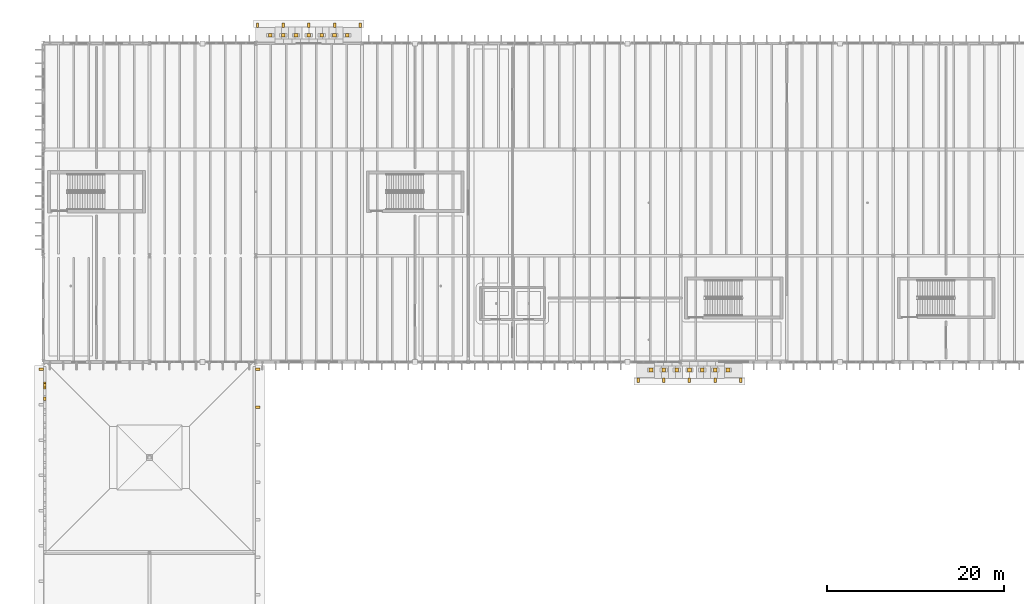
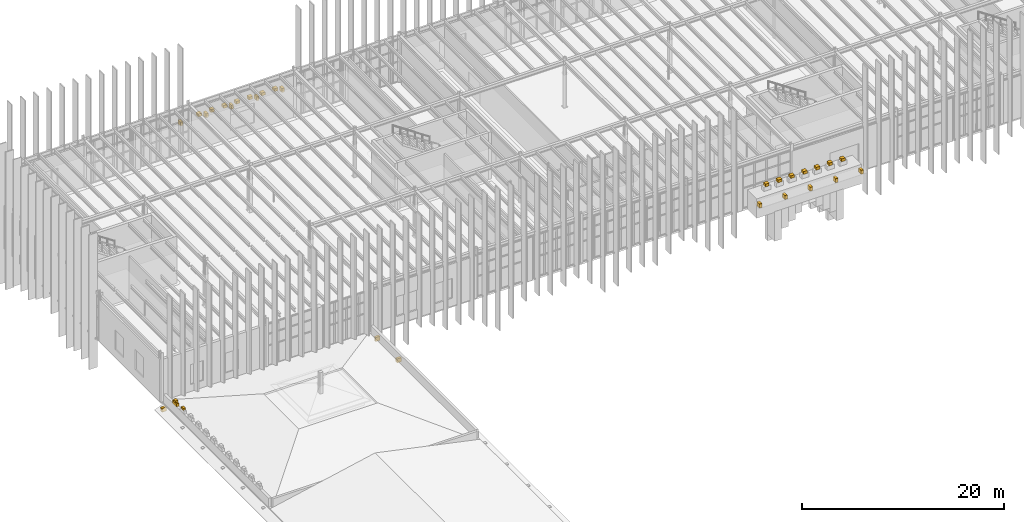
# One storey, part 82 of 83: 30 coverings.
"""IFC4 building model written with IfcOpenShell, lengths in metres."""

from ifc_helpers import new_model, si_unit, direction, frame, origin, place, context, subcontext, project, spatial, polyline, outline, extrude, material, layer, layer_set, type_object, element, save


model = new_model("IFC4")

# Units and contexts
model_context = context("Model", 3, precision=1e-05, world=origin(), true_north=direction((0.0, 1.0)))
body_context = subcontext(model_context, "Body", "Model", "MODEL_VIEW")
ifc_project = project(units=[si_unit("LENGTHUNIT", "METRE"), si_unit("AREAUNIT", "SQUARE_METRE"), si_unit("VOLUMEUNIT", "CUBIC_METRE"), si_unit("PLANEANGLEUNIT", "RADIAN"), si_unit("MASSUNIT", "GRAM", prefix="KILO")], contexts=[model_context])

# Site, building, storey
site_placement = place(None, origin())
site = spatial("IfcSite", under=ifc_project, at=site_placement, CompositionType="ELEMENT")
building_placement = place(site_placement, origin())
building = spatial("IfcBuilding", under=site, at=building_placement, Name="Zlatogorsky Bluff Art Gallery", CompositionType="ELEMENT")
storey_placement = place(building_placement, frame((0.0, 0.0, 10.800048828125)))
storey = spatial("IfcBuildingStorey", under=building, at=storey_placement, Name="L02", CompositionType="ELEMENT", Elevation=10.800048828125)

# Coverings
ifc_material = material(Name="Honed Red Agra-Tone Quartzitic Sandstone", Category="masonry")
ifc_layer = layer(ifc_material, 0.1201171875)
ifc_layer_set = layer_set([ifc_layer], Name="Carved Sandstone Cladding CLD-02")
covering_type = type_object("IfcCoveringType", Name="Carved Sandstone Cladding CLD-02", PredefinedType="CLADDING", material=ifc_layer_set)
covering_1_placement = place(storey_placement, frame((0.0, 0.0, 1.85986328125)))
element("IfcCovering", 1, at=covering_1_placement, inside=storey, type_object=covering_type, Name="Chhajja carved stone corbel PISHTAQ-N-MAIN-CHJ.1", PredefinedType="CLADDING", context=body_context, shape_type="SweptSolid", body=[
    extrude(outline(polyline([(24.06005859375, 121.81005859375), (24.340087890625, 121.81005859375), (24.340087890625, 122.31005859375), (24.06005859375, 122.31005859375), (24.06005859375, 121.81005859375)])), origin(), (0.0, 0.0, 1.0), 0.47998046875),
])
covering_2_placement = place(storey_placement, frame((0.0, 0.0, 1.85986328125)))
element("IfcCovering", 2, at=covering_2_placement, inside=storey, type_object=covering_type, Name="Chhajja carved stone corbel PISHTAQ-N-MAIN-CHJ.2", PredefinedType="CLADDING", context=body_context, shape_type="SweptSolid", body=[
    extrude(outline(polyline([(26.9599609375, 121.81005859375), (27.239990234375, 121.81005859375), (27.239990234375, 122.31005859375), (26.9599609375, 122.31005859375), (26.9599609375, 121.81005859375)])), origin(), (0.0, 0.0, 1.0), 0.47998046875),
])
covering_3_placement = place(storey_placement, frame((0.0, 0.0, 1.85986328125)))
element("IfcCovering", 3, at=covering_3_placement, inside=storey, type_object=covering_type, Name="Chhajja carved stone corbel PISHTAQ-N-MAIN-CHJ.3", PredefinedType="CLADDING", context=body_context, shape_type="SweptSolid", body=[
    extrude(outline(polyline([(29.860107421875, 121.81005859375), (30.139892578125, 121.81005859375), (30.139892578125, 122.31005859375), (29.860107421875, 122.31005859375), (29.860107421875, 121.81005859375)])), origin(), (0.0, 0.0, 1.0), 0.47998046875),
])
covering_4_placement = place(storey_placement, frame((0.0, 0.0, 1.85986328125)))
element("IfcCovering", 4, at=covering_4_placement, inside=storey, type_object=covering_type, Name="Chhajja carved stone corbel PISHTAQ-N-MAIN-CHJ.4", PredefinedType="CLADDING", context=body_context, shape_type="SweptSolid", body=[
    extrude(outline(polyline([(32.760009765625, 121.81005859375), (33.0400390625, 121.81005859375), (33.0400390625, 122.31005859375), (32.760009765625, 122.31005859375), (32.760009765625, 121.81005859375)])), origin(), (0.0, 0.0, 1.0), 0.47998046875),
])
covering_5_placement = place(storey_placement, frame((0.0, 0.0, 1.85986328125)))
element("IfcCovering", 5, at=covering_5_placement, inside=storey, type_object=covering_type, Name="Chhajja carved stone corbel PISHTAQ-N-MAIN-CHJ.5", PredefinedType="CLADDING", context=body_context, shape_type="SweptSolid", body=[
    extrude(outline(polyline([(35.659912109375, 121.81005859375), (35.93994140625, 121.81005859375), (35.93994140625, 122.31005859375), (35.659912109375, 122.31005859375), (35.659912109375, 121.81005859375)])), origin(), (0.0, 0.0, 1.0), 0.47998046875),
])
covering_6_placement = place(storey_placement, frame((0.0, 0.0, 3.183837890625)))
element("IfcCovering", 6, at=covering_6_placement, inside=storey, type_object=covering_type, Name="Kangura pointed merlon finial PISHTAQ-N-MAIN.1", PredefinedType="CLADDING", context=body_context, shape_type="SweptSolid", body=[
    extrude(outline(polyline([(25.436767578125, 120.695068359375), (25.86328125, 120.695068359375), (25.86328125, 121.114990234375), (25.436767578125, 121.114990234375), (25.436767578125, 120.695068359375)])), origin(), (0.0, 0.0, 1.0), 0.336181640625),
])
covering_7_placement = place(storey_placement, frame((0.0, 0.0, 3.183837890625)))
element("IfcCovering", 7, at=covering_7_placement, inside=storey, type_object=covering_type, Name="Kangura pointed merlon finial PISHTAQ-N-MAIN.2", PredefinedType="CLADDING", context=body_context, shape_type="SweptSolid", body=[
    extrude(outline(polyline([(26.88671875, 120.695068359375), (27.313232421875, 120.695068359375), (27.313232421875, 121.114990234375), (26.88671875, 121.114990234375), (26.88671875, 120.695068359375)])), origin(), (0.0, 0.0, 1.0), 0.336181640625),
])
covering_8_placement = place(storey_placement, frame((0.0, 0.0, 3.183837890625)))
element("IfcCovering", 8, at=covering_8_placement, inside=storey, type_object=covering_type, Name="Kangura pointed merlon finial PISHTAQ-N-MAIN.3", PredefinedType="CLADDING", context=body_context, shape_type="SweptSolid", body=[
    extrude(outline(polyline([(28.3369140625, 120.695068359375), (28.76318359375, 120.695068359375), (28.76318359375, 121.114990234375), (28.3369140625, 121.114990234375), (28.3369140625, 120.695068359375)])), origin(), (0.0, 0.0, 1.0), 0.336181640625),
])
covering_9_placement = place(storey_placement, frame((0.0, 0.0, 3.183837890625)))
element("IfcCovering", 9, at=covering_9_placement, inside=storey, type_object=covering_type, Name="Kangura pointed merlon finial PISHTAQ-N-MAIN.4", PredefinedType="CLADDING", context=body_context, shape_type="SweptSolid", body=[
    extrude(outline(polyline([(29.786865234375, 120.695068359375), (30.213134765625, 120.695068359375), (30.213134765625, 121.114990234375), (29.786865234375, 121.114990234375), (29.786865234375, 120.695068359375)])), origin(), (0.0, 0.0, 1.0), 0.336181640625),
])
covering_10_placement = place(storey_placement, frame((0.0, 0.0, 3.183837890625)))
element("IfcCovering", 10, at=covering_10_placement, inside=storey, type_object=covering_type, Name="Kangura pointed merlon finial PISHTAQ-N-MAIN.5", PredefinedType="CLADDING", context=body_context, shape_type="SweptSolid", body=[
    extrude(outline(polyline([(31.23681640625, 120.695068359375), (31.6630859375, 120.695068359375), (31.6630859375, 121.114990234375), (31.23681640625, 121.114990234375), (31.23681640625, 120.695068359375)])), origin(), (0.0, 0.0, 1.0), 0.336181640625),
])
covering_11_placement = place(storey_placement, frame((0.0, 0.0, 3.183837890625)))
element("IfcCovering", 11, at=covering_11_placement, inside=storey, type_object=covering_type, Name="Kangura pointed merlon finial PISHTAQ-N-MAIN.6", PredefinedType="CLADDING", context=body_context, shape_type="SweptSolid", body=[
    extrude(outline(polyline([(32.686767578125, 120.695068359375), (33.11328125, 120.695068359375), (33.11328125, 121.114990234375), (32.686767578125, 121.114990234375), (32.686767578125, 120.695068359375)])), origin(), (0.0, 0.0, 1.0), 0.336181640625),
])
covering_12_placement = place(storey_placement, frame((0.0, 0.0, 3.183837890625)))
element("IfcCovering", 12, at=covering_12_placement, inside=storey, type_object=covering_type, Name="Kangura pointed merlon finial PISHTAQ-N-MAIN.7", PredefinedType="CLADDING", context=body_context, shape_type="SweptSolid", body=[
    extrude(outline(polyline([(34.13671875, 120.695068359375), (34.563232421875, 120.695068359375), (34.563232421875, 121.114990234375), (34.13671875, 121.114990234375), (34.13671875, 120.695068359375)])), origin(), (0.0, 0.0, 1.0), 0.336181640625),
])
covering_13_placement = place(storey_placement, frame((0.0, 0.0, 1.260009765625)))
element("IfcCovering", 13, at=covering_13_placement, inside=storey, type_object=covering_type, Name="Chhajja carved stone corbel PISHTAQ-COURT-IWAN-CHJ.1", PredefinedType="CLADDING", context=body_context, shape_type="SweptSolid", body=[
    extrude(outline(polyline([(67.06005859375, 81.68994140625), (67.340087890625, 81.68994140625), (67.340087890625, 82.18994140625), (67.06005859375, 82.18994140625), (67.06005859375, 81.68994140625)])), origin(), (0.0, 0.0, 1.0), 0.47998046875),
])
covering_14_placement = place(storey_placement, frame((0.0, 0.0, 1.260009765625)))
element("IfcCovering", 14, at=covering_14_placement, inside=storey, type_object=covering_type, Name="Chhajja carved stone corbel PISHTAQ-COURT-IWAN-CHJ.2", PredefinedType="CLADDING", context=body_context, shape_type="SweptSolid", body=[
    extrude(outline(polyline([(69.9599609375, 81.68994140625), (70.239990234375, 81.68994140625), (70.239990234375, 82.18994140625), (69.9599609375, 82.18994140625), (69.9599609375, 81.68994140625)])), origin(), (0.0, 0.0, 1.0), 0.47998046875),
])
covering_15_placement = place(storey_placement, frame((0.0, 0.0, 1.260009765625)))
element("IfcCovering", 15, at=covering_15_placement, inside=storey, type_object=covering_type, Name="Chhajja carved stone corbel PISHTAQ-COURT-IWAN-CHJ.3", PredefinedType="CLADDING", context=body_context, shape_type="SweptSolid", body=[
    extrude(outline(polyline([(72.860107421875, 81.68994140625), (73.139892578125, 81.68994140625), (73.139892578125, 82.18994140625), (72.860107421875, 82.18994140625), (72.860107421875, 81.68994140625)])), origin(), (0.0, 0.0, 1.0), 0.47998046875),
])
covering_16_placement = place(storey_placement, frame((0.0, 0.0, 1.260009765625)))
element("IfcCovering", 16, at=covering_16_placement, inside=storey, type_object=covering_type, Name="Chhajja carved stone corbel PISHTAQ-COURT-IWAN-CHJ.4", PredefinedType="CLADDING", context=body_context, shape_type="SweptSolid", body=[
    extrude(outline(polyline([(75.760009765625, 81.68994140625), (76.0400390625, 81.68994140625), (76.0400390625, 82.18994140625), (75.760009765625, 82.18994140625), (75.760009765625, 81.68994140625)])), origin(), (0.0, 0.0, 1.0), 0.47998046875),
])
covering_17_placement = place(storey_placement, frame((0.0, 0.0, 1.260009765625)))
element("IfcCovering", 17, at=covering_17_placement, inside=storey, type_object=covering_type, Name="Chhajja carved stone corbel PISHTAQ-COURT-IWAN-CHJ.5", PredefinedType="CLADDING", context=body_context, shape_type="SweptSolid", body=[
    extrude(outline(polyline([(78.659912109375, 81.68994140625), (78.93994140625, 81.68994140625), (78.93994140625, 82.18994140625), (78.659912109375, 82.18994140625), (78.659912109375, 81.68994140625)])), origin(), (0.0, 0.0, 1.0), 0.47998046875),
])
covering_18_placement = place(storey_placement, frame((0.0, 0.0, 2.583740234375)))
element("IfcCovering", 18, at=covering_18_placement, inside=storey, type_object=covering_type, Name="Kangura pointed merlon finial PISHTAQ-COURT-IWAN.1", PredefinedType="CLADDING", context=body_context, shape_type="SweptSolid", body=[
    extrude(outline(polyline([(68.436767578125, 82.885009765625), (68.86328125, 82.885009765625), (68.86328125, 83.304931640625), (68.436767578125, 83.304931640625), (68.436767578125, 82.885009765625)])), origin(), (0.0, 0.0, 1.0), 0.336181640625),
])
covering_19_placement = place(storey_placement, frame((0.0, 0.0, 2.583740234375)))
element("IfcCovering", 19, at=covering_19_placement, inside=storey, type_object=covering_type, Name="Kangura pointed merlon finial PISHTAQ-COURT-IWAN.2", PredefinedType="CLADDING", context=body_context, shape_type="SweptSolid", body=[
    extrude(outline(polyline([(69.88671875, 82.885009765625), (70.313232421875, 82.885009765625), (70.313232421875, 83.304931640625), (69.88671875, 83.304931640625), (69.88671875, 82.885009765625)])), origin(), (0.0, 0.0, 1.0), 0.336181640625),
])
covering_20_placement = place(storey_placement, frame((0.0, 0.0, 2.583740234375)))
element("IfcCovering", 20, at=covering_20_placement, inside=storey, type_object=covering_type, Name="Kangura pointed merlon finial PISHTAQ-COURT-IWAN.3", PredefinedType="CLADDING", context=body_context, shape_type="SweptSolid", body=[
    extrude(outline(polyline([(71.3369140625, 82.885009765625), (71.76318359375, 82.885009765625), (71.76318359375, 83.304931640625), (71.3369140625, 83.304931640625), (71.3369140625, 82.885009765625)])), origin(), (0.0, 0.0, 1.0), 0.336181640625),
])
covering_21_placement = place(storey_placement, frame((0.0, 0.0, 2.583740234375)))
element("IfcCovering", 21, at=covering_21_placement, inside=storey, type_object=covering_type, Name="Kangura pointed merlon finial PISHTAQ-COURT-IWAN.4", PredefinedType="CLADDING", context=body_context, shape_type="SweptSolid", body=[
    extrude(outline(polyline([(72.786865234375, 82.885009765625), (73.213134765625, 82.885009765625), (73.213134765625, 83.304931640625), (72.786865234375, 83.304931640625), (72.786865234375, 82.885009765625)])), origin(), (0.0, 0.0, 1.0), 0.336181640625),
])
covering_22_placement = place(storey_placement, frame((0.0, 0.0, 2.583740234375)))
element("IfcCovering", 22, at=covering_22_placement, inside=storey, type_object=covering_type, Name="Kangura pointed merlon finial PISHTAQ-COURT-IWAN.5", PredefinedType="CLADDING", context=body_context, shape_type="SweptSolid", body=[
    extrude(outline(polyline([(74.23681640625, 82.885009765625), (74.6630859375, 82.885009765625), (74.6630859375, 83.304931640625), (74.23681640625, 83.304931640625), (74.23681640625, 82.885009765625)])), origin(), (0.0, 0.0, 1.0), 0.336181640625),
])
covering_23_placement = place(storey_placement, frame((0.0, 0.0, 2.583740234375)))
element("IfcCovering", 23, at=covering_23_placement, inside=storey, type_object=covering_type, Name="Kangura pointed merlon finial PISHTAQ-COURT-IWAN.6", PredefinedType="CLADDING", context=body_context, shape_type="SweptSolid", body=[
    extrude(outline(polyline([(75.686767578125, 82.885009765625), (76.11328125, 82.885009765625), (76.11328125, 83.304931640625), (75.686767578125, 83.304931640625), (75.686767578125, 82.885009765625)])), origin(), (0.0, 0.0, 1.0), 0.336181640625),
])
covering_24_placement = place(storey_placement, frame((0.0, 0.0, 2.583740234375)))
element("IfcCovering", 24, at=covering_24_placement, inside=storey, type_object=covering_type, Name="Kangura pointed merlon finial PISHTAQ-COURT-IWAN.7", PredefinedType="CLADDING", context=body_context, shape_type="SweptSolid", body=[
    extrude(outline(polyline([(77.13671875, 82.885009765625), (77.563232421875, 82.885009765625), (77.563232421875, 83.304931640625), (77.13671875, 83.304931640625), (77.13671875, 82.885009765625)])), origin(), (0.0, 0.0, 1.0), 0.336181640625),
])
covering_25_placement = place(storey_placement, frame((0.0, 0.0, -0.60009765625)))
element("IfcCovering", 25, at=covering_25_placement, inside=storey, type_object=covering_type, Name="Chhajja carved stone corbel CHJ-SW-E-L02.16", PredefinedType="CLADDING", context=body_context, shape_type="SweptSolid", body=[
    extrude(outline(polyline([(23.9599609375, 78.76611328125), (23.9599609375, 79.04638671875), (24.4599609375, 79.04638671875), (24.4599609375, 78.76611328125), (23.9599609375, 78.76611328125)])), origin(), (0.0, 0.0, 1.0), 0.47998046875),
])
covering_26_placement = place(storey_placement, frame((0.0, 0.0, -0.60009765625)))
element("IfcCovering", 26, at=covering_26_placement, inside=storey, type_object=covering_type, Name="Chhajja carved stone corbel CHJ-SW-E-L02.17", PredefinedType="CLADDING", context=body_context, shape_type="SweptSolid", body=[
    extrude(outline(polyline([(23.9599609375, 83.010009765625), (23.9599609375, 83.2900390625), (24.4599609375, 83.2900390625), (24.4599609375, 83.010009765625), (23.9599609375, 83.010009765625)])), origin(), (0.0, 0.0, 1.0), 0.47998046875),
])
covering_27_placement = place(storey_placement, frame((0.0, 0.0, -0.60009765625)))
element("IfcCovering", 27, at=covering_27_placement, inside=storey, type_object=covering_type, Name="Chhajja carved stone corbel CHJ-SW-W-L02B.9", PredefinedType="CLADDING", context=body_context, shape_type="SweptSolid", body=[
    extrude(outline(polyline([(-0.4599609375, 83.010009765625), (-0.4599609375, 83.2900390625), (0.0400390625, 83.2900390625), (0.0400390625, 83.010009765625), (-0.4599609375, 83.010009765625)])), origin(), (0.0, 0.0, 1.0), 0.47998046875),
])
covering_28_placement = place(storey_placement, frame((0.0, 0.0, 1.4921875)))
element("IfcCovering", 28, at=covering_28_placement, inside=storey, type_object=covering_type, Name="Kangura pointed merlon finial PAR-RF-L02-03-4.11", PredefinedType="CLADDING", context=body_context, shape_type="SweptSolid", body=[
    extrude(outline(polyline([(0.02001953125, 79.65234375), (0.02001953125, 80.047607421875), (0.300048828125, 80.047607421875), (0.300048828125, 79.65234375), (0.02001953125, 79.65234375)])), origin(), (0.0, 0.0, 1.0), 0.23779296875),
])
covering_29_placement = place(storey_placement, frame((0.0, 0.0, 1.119873046875)))
element("IfcCovering", 29, at=covering_29_placement, inside=storey, type_object=covering_type, Name="Kangura stepped merlon base PAR-RF-L02-03-4.12", PredefinedType="CLADDING", context=body_context, shape_type="SweptSolid", body=[
    extrude(outline(polyline([(0.02001953125, 80.969970703125), (0.02001953125, 81.72998046875), (0.300048828125, 81.72998046875), (0.300048828125, 80.969970703125), (0.02001953125, 80.969970703125)])), origin(), (0.0, 0.0, 1.0), 0.3896484375),
])
covering_30_placement = place(storey_placement, frame((0.0, 0.0, 1.4921875)))
element("IfcCovering", 30, at=covering_30_placement, inside=storey, type_object=covering_type, Name="Kangura pointed merlon finial PAR-RF-L02-03-4.12", PredefinedType="CLADDING", context=body_context, shape_type="SweptSolid", body=[
    extrude(outline(polyline([(0.02001953125, 81.15234375), (0.02001953125, 81.547607421875), (0.300048828125, 81.547607421875), (0.300048828125, 81.15234375), (0.02001953125, 81.15234375)])), origin(), (0.0, 0.0, 1.0), 0.23779296875),
])

save(model, "model.ifc")
